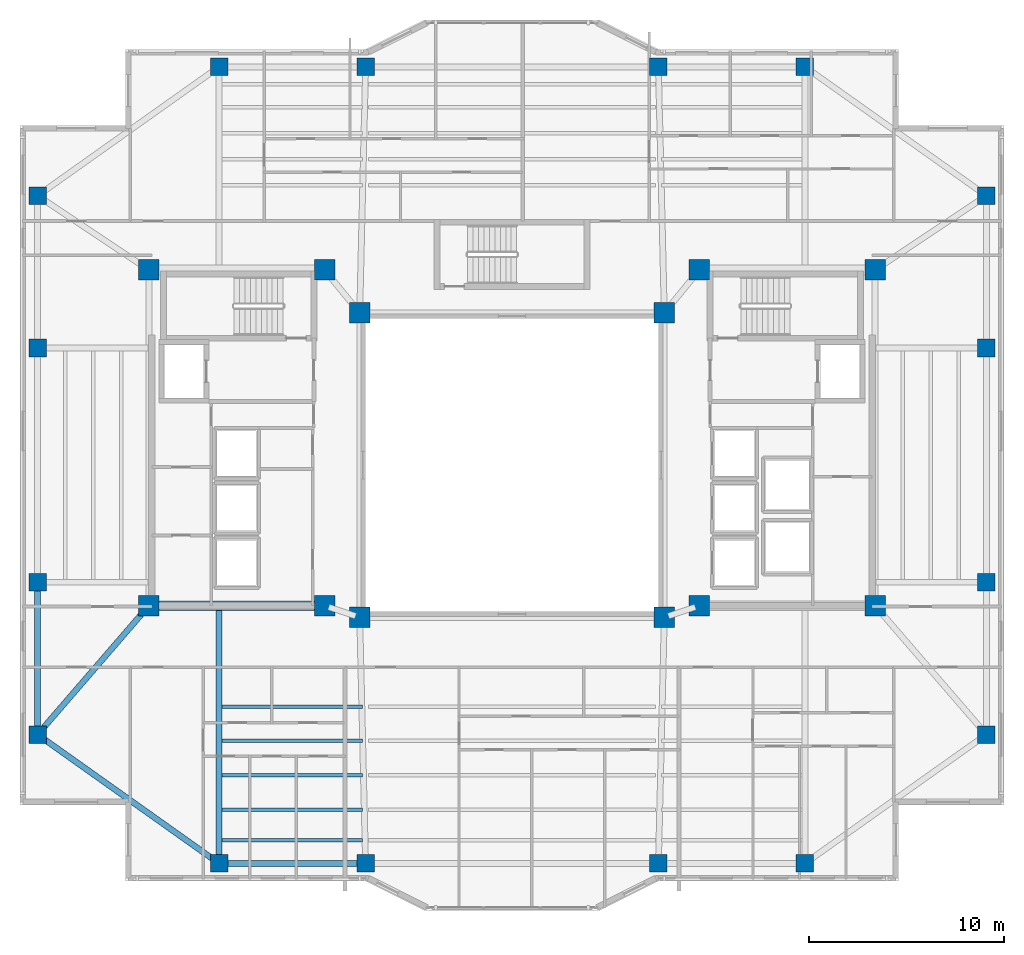
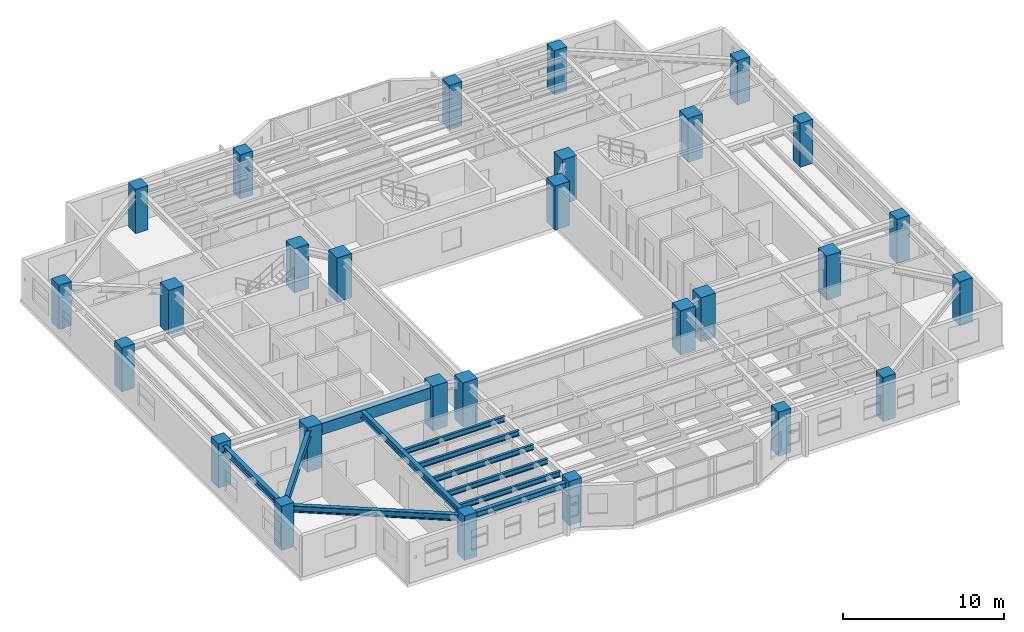
# One storey, part 1 of 16: 28 columns, 11 beams.
"""IFC4 building model written with IfcOpenShell, lengths in metres."""

import ifcopenshell
import ifcopenshell.guid

model = None  # the IFC model being written
_history = None  # IfcOwnerHistory: only IFC2X3 demands one
_inside = {}  # id of a spatial element -> (the spatial element, [elements in it])
_under = {}  # id of a project, library or spatial element -> (it, [spatial elements below it])
_declared = {}  # id of a project -> (the project, [libraries it declares])
_typed = {}  # id of a type object -> (the type object, [elements of that type])
_made_of = {}  # id of a material, layer set ... -> (it, [elements and type objects made of it])


def new_model(schema):
    """Start an empty IFC model of exactly this schema.

    Asked for "IFC4X3", IfcOpenShell would pick the latest addendum, in which some entities
    have other attributes; the version numbers below select the first issue.
    IFC2X3 requires an IfcOwnerHistory on every rooted entity: one is made here for all.
    """
    global model, _history
    if schema == "IFC4X3":
        model = ifcopenshell.file(schema_version=(4, 3, 0, 0))
    else:
        model = ifcopenshell.file(schema=schema)
    _inside.clear()
    _under.clear()
    _declared.clear()
    _typed.clear()
    _made_of.clear()
    _history = None
    if model.schema == "IFC2X3":
        org = make("IfcOrganization", Name="unknown")
        user = make(
            "IfcPersonAndOrganization",
            ThePerson=make("IfcPerson", FamilyName="unknown"),
            TheOrganization=org,
        )
        app = make(
            "IfcApplication",
            ApplicationDeveloper=org,
            Version="unknown",
            ApplicationFullName="unknown",
            ApplicationIdentifier="unknown",
        )
        _history = make(
            "IfcOwnerHistory",
            OwningUser=user,
            OwningApplication=app,
            ChangeAction="ADDED",
            CreationDate=0,
        )
    return model


def make(cls, **values):
    """One entity of the class cls with the attributes given. An attribute that is None is left unset."""
    return model.create_entity(
        cls, **{name: value for name, value in values.items() if value is not None}
    )


def rooted(cls, **values):
    """An entity with a GlobalId (a new one), such as an element, a storey or a relation."""
    return make(cls, GlobalId=ifcopenshell.guid.new(), OwnerHistory=_history, **values)


def si_unit(unit_type, name, prefix=None):
    """IfcSIUnit, for example si_unit("LENGTHUNIT", "METRE", prefix="MILLI")."""
    return make("IfcSIUnit", UnitType=unit_type, Prefix=prefix, Name=name)


def assignment(units):
    """IfcUnitAssignment: the units of a project."""
    return None if units is None else make("IfcUnitAssignment", Units=units)


def point(xyz):
    """IfcCartesianPoint."""
    return None if xyz is None else make("IfcCartesianPoint", Coordinates=xyz)


def direction(xyz):
    """IfcDirection."""
    return None if xyz is None else make("IfcDirection", DirectionRatios=xyz)


def frame(location, z_axis=None, x_axis=None):
    """IfcAxis2Placement3D, a coordinate frame: its origin and axes. An axis left out is left unset."""
    return make(
        "IfcAxis2Placement3D",
        Location=point(location),
        Axis=direction(z_axis),
        RefDirection=direction(x_axis),
    )


def frame_2d(location, x_axis=None):
    """IfcAxis2Placement2D, a coordinate frame in the plane: its origin and x axis."""
    return make(
        "IfcAxis2Placement2D", Location=point(location), RefDirection=direction(x_axis)
    )


def origin():
    """The frame at (0, 0, 0) with its axes left unset."""
    return frame((0.0, 0.0, 0.0))


def origin_2d():
    """The frame at (0, 0) in the plane with its x axis left unset."""
    return frame_2d((0.0, 0.0))


def place(relative_to, where):
    """IfcLocalPlacement: puts the frame where relative to a parent placement (None: the world)."""
    return make(
        "IfcLocalPlacement", PlacementRelTo=relative_to, RelativePlacement=where
    )


def context(
    kind, dimensions, precision=None, world=None, true_north=None, identifier=None
):
    """IfcGeometricRepresentationContext, for example the 3D "Model" context."""
    return make(
        "IfcGeometricRepresentationContext",
        ContextIdentifier=identifier,
        ContextType=kind,
        CoordinateSpaceDimension=dimensions,
        Precision=precision,
        WorldCoordinateSystem=world,
        TrueNorth=true_north,
    )


def subcontext(parent, identifier, kind, view, scale=None):
    """IfcGeometricRepresentationSubContext, for example "Body" below "Model"."""
    return make(
        "IfcGeometricRepresentationSubContext",
        ContextIdentifier=identifier,
        ContextType=kind,
        ParentContext=parent,
        TargetScale=scale,
        TargetView=view,
    )


def project(units=None, contexts=None):
    """IfcProject with its units and contexts."""
    return rooted(
        "IfcProject",
        Name="project",
        RepresentationContexts=contexts,
        UnitsInContext=assignment(units),
    )


def spatial(cls, under=None, at=None, **own):
    """A site, building, storey or space (cls), placed at a placement, below another one or the project."""
    s = rooted(cls, ObjectPlacement=at, **own)
    if under is not None:
        _under.setdefault(under.id(), (under, []))[1].append(s)
    return s


def profile(cls, at=None, kind="AREA", **sizes):
    """A parametric profile (cls). Its sizes go by their IFC names, for example OverallWidth=200.0."""
    return make(cls, ProfileType=kind, Position=at, **sizes)


def rectangle(**sizes):
    """IfcRectangleProfileDef."""
    return profile("IfcRectangleProfileDef", **sizes)


def i_section(**sizes):
    """IfcIShapeProfileDef."""
    return profile("IfcIShapeProfileDef", **sizes)


def extrude(swept, where, along, depth):
    """IfcExtrudedAreaSolid: the profile swept, set in the frame where, extruded along a direction by depth."""
    return make(
        "IfcExtrudedAreaSolid",
        SweptArea=swept,
        Position=where,
        ExtrudedDirection=direction(along),
        Depth=depth,
    )


def shape(context_of_items, identifier, shape_type, items):
    """IfcShapeRepresentation: the items that make up one representation, for example the "Body"."""
    return make(
        "IfcShapeRepresentation",
        ContextOfItems=context_of_items,
        RepresentationIdentifier=identifier,
        RepresentationType=shape_type,
        Items=items,
    )


def material(Name=None, Category=None):
    """IfcMaterial."""
    return make("IfcMaterial", Name=Name, Category=Category)


def material_profile(
    of_material, cross_section, Name=None, Category=None, Priority=None
):
    """IfcMaterialProfile: a cross section and its material."""
    return make(
        "IfcMaterialProfile",
        Name=Name,
        Material=of_material,
        Profile=cross_section,
        Priority=Priority,
        Category=Category,
    )


def profile_set(profiles, Name=None, composite=None):
    """IfcMaterialProfileSet."""
    return make(
        "IfcMaterialProfileSet",
        Name=Name,
        MaterialProfiles=profiles,
        CompositeProfile=composite,
    )


def made_of(thing, what):
    """Note that an element or type object is made of a material, layer set ...; save() writes the relation."""
    if what is not None:
        _made_of.setdefault(what.id(), (what, []))[1].append(thing)
    return thing


def type_object(cls, material=None, **own):
    """A type object (cls), such as IfcWallType, which elements share."""
    return made_of(rooted(cls, **own), material)


def element(
    cls,
    number,
    at=None,
    inside=None,
    cuts=None,
    type_object=None,
    material=None,
    context=None,
    identifier="Body",
    shape_type=None,
    held_by="IfcProductDefinitionShape",
    body=None,
    shapes=None,
    **own,
):
    """One element of the class cls, such as IfcWall. Its Tag is "e" and its number.

    at: its placement. inside: the storey or other place that contains it. cuts: it is an
    opening in that element (IfcRelVoidsElement). A single representation is given by context,
    identifier, shape_type and body (its items); several are given by shapes. held_by: the class
    of the entity that holds the representations. save() writes the other relations.
    """
    e = rooted(cls, Tag="e%d" % number, ObjectPlacement=at, **own)
    if body is not None:
        shapes = [shape(context, identifier, shape_type, body)]
    if shapes is not None:
        e.Representation = make(held_by, Representations=shapes)
    if inside is not None:
        _inside.setdefault(inside.id(), (inside, []))[1].append(e)
    if cuts is not None:
        rooted(
            "IfcRelVoidsElement", RelatingBuildingElement=cuts, RelatedOpeningElement=e
        )
    if type_object is not None:
        _typed.setdefault(type_object.id(), (type_object, []))[1].append(e)
    return made_of(e, material)


def aggregate(whole, parts):
    """IfcRelAggregates: a whole, such as a stair, and the parts it consists of."""
    return rooted("IfcRelAggregates", RelatingObject=whole, RelatedObjects=parts)


def save(model, path):
    """Write the relations noted so far, then the file.

    IfcRelAggregates (storeys below a building ...), IfcRelContainedInSpatialStructure (elements
    in a storey), IfcRelDefinesByType, IfcRelAssociatesMaterial and IfcRelDeclares: one each for
    every whole, place, type object, material and project.
    """
    for whole, parts in _under.values():
        aggregate(whole, parts)
    for where, things in _inside.values():
        rooted(
            "IfcRelContainedInSpatialStructure",
            RelatedElements=things,
            RelatingStructure=where,
        )
    for kind, things in _typed.values():
        rooted("IfcRelDefinesByType", RelatedObjects=things, RelatingType=kind)
    for what, things in _made_of.values():
        rooted("IfcRelAssociatesMaterial", RelatedObjects=things, RelatingMaterial=what)
    for by, libraries in _declared.values():
        rooted("IfcRelDeclares", RelatingContext=by, RelatedDefinitions=libraries)
    model.write(path)


model = new_model("IFC4")

# Units and contexts
model_context = context("Model", 3, precision=1e-05, world=origin(), true_north=direction((0.0, 1.0)))
body_context = subcontext(model_context, "Body", "Model", "MODEL_VIEW")
ifc_project = project(units=[si_unit("LENGTHUNIT", "METRE"), si_unit("AREAUNIT", "SQUARE_METRE"), si_unit("VOLUMEUNIT", "CUBIC_METRE"), si_unit("PLANEANGLEUNIT", "RADIAN"), si_unit("MASSUNIT", "GRAM", prefix="KILO")], contexts=[model_context])

# Site, building, storey
site_placement = place(None, origin())
site = spatial("IfcSite", under=ifc_project, at=site_placement, CompositionType="ELEMENT")
building_placement = place(site_placement, origin())
building = spatial("IfcBuilding", under=site, at=building_placement, Name="Tarnavaz Court Tower", CompositionType="ELEMENT")
storey_placement = place(building_placement, frame((0.0, 0.0, 149.35009765625)))
storey = spatial("IfcBuildingStorey", under=building, at=storey_placement, Name="L40", CompositionType="ELEMENT", Elevation=149.35009765625)

# Columns
ifc_material_1 = material(Name="Concrete C60/75", Category="concrete")
ifc_material_profile_1 = material_profile(ifc_material_1, rectangle(XDim=1.050048828125, YDim=1.050048828125, at=origin_2d()), Name="RC 1050X1050")
ifc_profile_set_1 = profile_set([ifc_material_profile_1], Name="Concrete C60/75")
column_type_1 = type_object("IfcColumnType", Name="CL-RC1050", PredefinedType="COLUMN", material=ifc_profile_set_1)
for number, where, z_axis, x_axis, name in (
    (1, (-7.800048828125, -7.800048828125, 0.0), (0.0, 0.0, 1.0), (1.0, 0.0, 0.0), "L40 Column IW-SW"),
    (2, (7.800048828125, -7.800048828125, 0.0), (0.0, 0.0, 1.0), (1.0, 0.0, 0.0), "L40 Column IW-SE"),
    (3, (-7.800048828125, 7.800048828125, 0.0), (0.0, 0.0, 1.0), (1.0, 0.0, 0.0), "L40 Column IW-NW"),
    (4, (7.800048828125, 7.800048828125, 0.0), (0.0, 0.0, 1.0), (1.0, 0.0, 0.0), "L40 Column IW-NE"),
    (5, (-9.60009765625, -7.199951171875, 0.0), (0.0, 0.0, 1.0), (1.0, 0.0, 0.0), "L40 Column CW-SI"),
    (6, (-9.60009765625, 10.0, 0.0), (0.0, 0.0, 1.0), (1.0, 0.0, 0.0), "L40 Column CW-NI"),
    (7, (9.60009765625, -7.199951171875, 0.0), (0.0, 0.0, 1.0), (1.0, 0.0, 0.0), "L40 Column CE-SI"),
    (8, (9.60009765625, 10.0, 0.0), (0.0, 0.0, 1.0), (1.0, 0.0, 0.0), "L40 Column CE-NI"),
    (9, (-18.60009765625, -7.199951171875, 0.0), (0.0, 0.0, 1.0), (1.0, 0.0, 0.0), "L40 Column CW-SO"),
    (10, (-18.60009765625, 10.0, 0.0), (0.0, 0.0, 1.0), (1.0, 0.0, 0.0), "L40 Column CW-NO"),
    (11, (18.60009765625, -7.199951171875, 0.0), (0.0, 0.0, 1.0), (1.0, 0.0, 0.0), "L40 Column CE-SO"),
    (12, (18.60009765625, 10.0, 0.0), (0.0, 0.0, 1.0), (1.0, 0.0, 0.0), "L40 Column CE-NO"),
):
    element("IfcColumn", number, at=place(storey_placement, frame(where, z_axis=z_axis, x_axis=x_axis)), inside=storey, type_object=column_type_1, Name=name, PredefinedType="COLUMN", context=body_context, shape_type="SweptSolid", body=[
        extrude(rectangle(XDim=1.050048828125, YDim=1.050048828125, at=origin_2d()), origin(), (0.0, 0.0, 1.0), 3.349853515625),
    ])
ifc_material_2 = material(Name="Concrete C50/60", Category="concrete")
ifc_material_profile_2 = material_profile(ifc_material_2, rectangle(XDim=0.89990234375, YDim=0.89990234375, at=origin_2d()), Name="RC 900X900")
ifc_profile_set_2 = profile_set([ifc_material_profile_2], Name="Concrete C50/60")
column_type_2 = type_object("IfcColumnType", Name="CL-RC900", PredefinedType="COLUMN", material=ifc_profile_set_2)
for number, where, z_axis, x_axis, name in (
    (13, (-15.0, 20.39990234375, 0.0), (0.0, 0.0, 1.0), (1.0, 0.0, 0.0), "L40 Column PN-1"),
    (14, (-7.5, 20.39990234375, 0.0), (0.0, 0.0, 1.0), (1.0, 0.0, 0.0), "L40 Column PN-2"),
    (15, (7.5, 20.39990234375, 0.0), (0.0, 0.0, 1.0), (1.0, 0.0, 0.0), "L40 Column PN-3"),
    (16, (15.0, 20.39990234375, 0.0), (0.0, 0.0, 1.0), (1.0, 0.0, 0.0), "L40 Column PN-4"),
    (17, (-15.0, -20.39990234375, 0.0), (0.0, 0.0, 1.0), (1.0, 0.0, 0.0), "L40 Column PS-1"),
    (18, (-7.5, -20.39990234375, 0.0), (0.0, 0.0, 1.0), (1.0, 0.0, 0.0), "L40 Column PS-2"),
    (19, (7.5, -20.39990234375, 0.0), (0.0, 0.0, 1.0), (1.0, 0.0, 0.0), "L40 Column PS-3"),
    (20, (15.0, -20.39990234375, 0.0), (0.0, 0.0, 1.0), (1.0, 0.0, 0.0), "L40 Column PS-4"),
    (21, (24.300048828125, -13.800048828125, 0.0), (0.0, 0.0, 1.0), (1.0, 0.0, 0.0), "L40 Column PE-1"),
    (22, (24.300048828125, -6.0, 0.0), (0.0, 0.0, 1.0), (1.0, 0.0, 0.0), "L40 Column PE-2"),
    (23, (24.300048828125, 6.0, 0.0), (0.0, 0.0, 1.0), (1.0, 0.0, 0.0), "L40 Column PE-3"),
    (24, (24.300048828125, 13.800048828125, 0.0), (0.0, 0.0, 1.0), (1.0, 0.0, 0.0), "L40 Column PE-4"),
    (25, (-24.300048828125, -13.800048828125, 0.0), (0.0, 0.0, 1.0), (1.0, 0.0, 0.0), "L40 Column PW-1"),
    (26, (-24.300048828125, -6.0, 0.0), (0.0, 0.0, 1.0), (1.0, 0.0, 0.0), "L40 Column PW-2"),
    (27, (-24.300048828125, 6.0, 0.0), (0.0, 0.0, 1.0), (1.0, 0.0, 0.0), "L40 Column PW-3"),
    (28, (-24.300048828125, 13.800048828125, 0.0), (0.0, 0.0, 1.0), (1.0, 0.0, 0.0), "L40 Column PW-4"),
):
    element("IfcColumn", number, at=place(storey_placement, frame(where, z_axis=z_axis, x_axis=x_axis)), inside=storey, type_object=column_type_2, Name=name, PredefinedType="COLUMN", context=body_context, shape_type="SweptSolid", body=[
        extrude(rectangle(XDim=0.89990234375, YDim=0.89990234375, at=origin_2d()), origin(), (0.0, 0.0, 1.0), 3.349853515625),
    ])

# Beams
ifc_material_profile_3 = material_profile(ifc_material_2, rectangle(XDim=0.5, YDim=0.85009765625, at=origin_2d()), Name="RC 500X850")
ifc_profile_set_3 = profile_set([ifc_material_profile_3], Name="Concrete C50/60")
beam_type_1 = type_object("IfcBeamType", Name="BM-CB850", PredefinedType="LINTEL", material=ifc_profile_set_3)
beam_1_placement = place(storey_placement, frame((-18.3798828125, -7.199951171875, 2.6748046875), z_axis=(1.0, 0.0, 0.0), x_axis=(0.0, 1.0, 0.0)))
element("IfcBeam", 29, at=beam_1_placement, inside=storey, type_object=beam_type_1, Name="L40 Beam IN-CW-SO-CW-SI", PredefinedType="LINTEL", context=body_context, shape_type="SweptSolid", body=[
    extrude(rectangle(XDim=0.5, YDim=0.85009765625, at=origin_2d()), origin(), (0.0, 0.0, 1.0), 8.559814453125),
])
ifc_material_3 = material(Name="Steel S355", Category="steel")
ifc_material_profile_4 = material_profile(ifc_material_3, i_section(OverallWidth=0.300048828125, OverallDepth=0.5, WebThickness=0.014404296875, FlangeThickness=0.028076171875, FilletRadius=0.027099609375, at=origin_2d()), Name="HEB 500")
ifc_profile_set_4 = profile_set([ifc_material_profile_4], Name="Steel S355")
beam_type_2 = type_object("IfcBeamType", Name="BM-G-HEB500", PredefinedType="USERDEFINED", material=ifc_profile_set_4)
beam_2_placement = place(storey_placement, frame((-15.0, -7.239990234375, 2.849853515625), z_axis=(0.0, -1.0, 0.0), x_axis=(1.0, 0.0, 0.0)))
element("IfcBeam", 30, at=beam_2_placement, inside=storey, type_object=beam_type_2, Name="L40 Beam RG-05", ObjectType="GIRDER", PredefinedType="USERDEFINED", context=body_context, shape_type="SweptSolid", body=[
    extrude(i_section(OverallWidth=0.300048828125, OverallDepth=0.5, WebThickness=0.014404296875, FlangeThickness=0.028076171875, FilletRadius=0.027099609375, at=origin_2d()), origin(), (0.0, 0.0, 1.0), 12.93994140625),
])
beam_3_placement = place(storey_placement, frame((-18.743896484375, -7.366455078125, 2.849853515625), z_axis=(-0.653610659012, -0.756830962914, 0.0), x_axis=(0.756830962914, -0.653610659012, 0.0)))
element("IfcBeam", 31, at=beam_3_placement, inside=storey, type_object=beam_type_2, Name="L40 Beam RG-15", ObjectType="GIRDER", PredefinedType="USERDEFINED", context=body_context, shape_type="SweptSolid", body=[
    extrude(i_section(OverallWidth=0.300048828125, OverallDepth=0.5, WebThickness=0.014404296875, FlangeThickness=0.028076171875, FilletRadius=0.027099609375, at=origin_2d()), origin(), (0.0, 0.0, 1.0), 8.28076171875),
])
ifc_material_profile_5 = material_profile(ifc_material_3, i_section(OverallWidth=0.179931640625, OverallDepth=0.39990234375, WebThickness=0.008544921875, FlangeThickness=0.013427734375, FilletRadius=0.02099609375, at=origin_2d()), Name="IPE 400")
ifc_profile_set_5 = profile_set([ifc_material_profile_5], Name="Steel S355")
beam_type_3 = type_object("IfcBeamType", Name="BM-J-IPE400", PredefinedType="JOIST", material=ifc_profile_set_5)
for number, where, z_axis, x_axis, name in (
    (32, (-14.85009765625, -12.364013671875, 2.89990234375), (1.0, 0.0, 0.0), (0.0, 1.0, 0.0), "L40 Beam JS1-1"),
    (33, (-14.85009765625, -14.1279296875, 2.89990234375), (1.0, 0.0, 0.0), (0.0, 1.0, 0.0), "L40 Beam JS2-1"),
    (34, (-14.85009765625, -15.89208984375, 2.89990234375), (1.0, 0.0, 0.0), (0.0, 1.0, 0.0), "L40 Beam JS3-1"),
    (35, (-14.85009765625, -17.656005859375, 2.89990234375), (1.0, 0.0, 0.0), (0.0, 1.0, 0.0), "L40 Beam JS4-1"),
    (36, (-14.85009765625, -19.22412109375, 2.89990234375), (1.0, 0.0, 0.0), (0.0, 1.0, 0.0), "L40 Beam JS5-1"),
):
    element("IfcBeam", number, at=place(storey_placement, frame(where, z_axis=z_axis, x_axis=x_axis)), inside=storey, type_object=beam_type_3, Name=name, PredefinedType="JOIST", context=body_context, shape_type="SweptSolid", body=[
        extrude(i_section(OverallWidth=0.179931640625, OverallDepth=0.39990234375, WebThickness=0.008544921875, FlangeThickness=0.013427734375, FilletRadius=0.02099609375, at=origin_2d()), origin(), (0.0, 0.0, 1.0), 7.2001953125),
    ])
ifc_material_profile_6 = material_profile(ifc_material_3, i_section(OverallWidth=0.300048828125, OverallDepth=0.489990234375, WebThickness=0.011962890625, FlangeThickness=0.02294921875, FilletRadius=0.027099609375, at=origin_2d()), Name="HEA 500")
ifc_profile_set_6 = profile_set([ifc_material_profile_6], Name="Steel S355")
beam_type_4 = type_object("IfcBeamType", Name="BM-SP-HEA500", PredefinedType="SPANDREL", material=ifc_profile_set_6)
beam_4_placement = place(storey_placement, frame((-14.780029296875, -20.39990234375, 2.85498046875), z_axis=(1.0, 0.0, 0.0), x_axis=(0.0, 1.0, 0.0)))
element("IfcBeam", 37, at=beam_4_placement, inside=storey, type_object=beam_type_4, Name="L40 Beam PR-PS-1-PS-2", PredefinedType="SPANDREL", context=body_context, shape_type="SweptSolid", body=[
    extrude(i_section(OverallWidth=0.300048828125, OverallDepth=0.489990234375, WebThickness=0.011962890625, FlangeThickness=0.02294921875, FilletRadius=0.027099609375, at=origin_2d()), origin(), (0.0, 0.0, 1.0), 7.06005859375),
])
beam_5_placement = place(storey_placement, frame((-24.300048828125, -13.580078125, 2.85498046875), z_axis=(0.0, 1.0, 0.0), x_axis=(-1.0, 0.0, 0.0)))
element("IfcBeam", 38, at=beam_5_placement, inside=storey, type_object=beam_type_4, Name="L40 Beam PR-PW-1-PW-2", PredefinedType="SPANDREL", context=body_context, shape_type="SweptSolid", body=[
    extrude(i_section(OverallWidth=0.300048828125, OverallDepth=0.489990234375, WebThickness=0.011962890625, FlangeThickness=0.02294921875, FilletRadius=0.027099609375, at=origin_2d()), origin(), (0.0, 0.0, 1.0), 7.360107421875),
])
beam_6_placement = place(storey_placement, frame((-15.179443359375, -20.272705078125, 2.85498046875), z_axis=(-0.815502059396, 0.57875417158, 0.0), x_axis=(-0.57875417158, -0.815502059396, 0.0)))
element("IfcBeam", 39, at=beam_6_placement, inside=storey, type_object=beam_type_4, Name="L40 Beam PR-PS-1-PW-1", PredefinedType="SPANDREL", context=body_context, shape_type="SweptSolid", body=[
    extrude(i_section(OverallWidth=0.300048828125, OverallDepth=0.489990234375, WebThickness=0.011962890625, FlangeThickness=0.02294921875, FilletRadius=0.027099609375, at=origin_2d()), origin(), (0.0, 0.0, 1.0), 10.964111328125),
])

save(model, "model.ifc")
